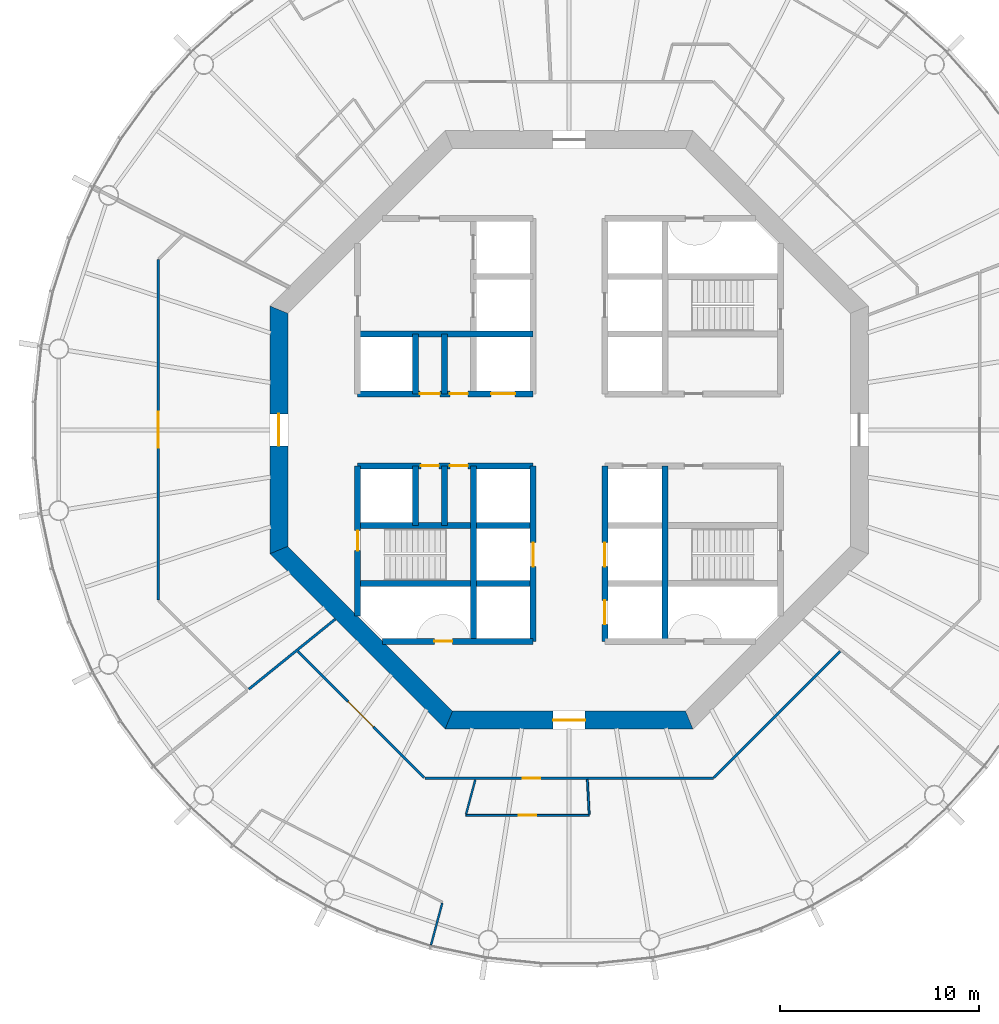
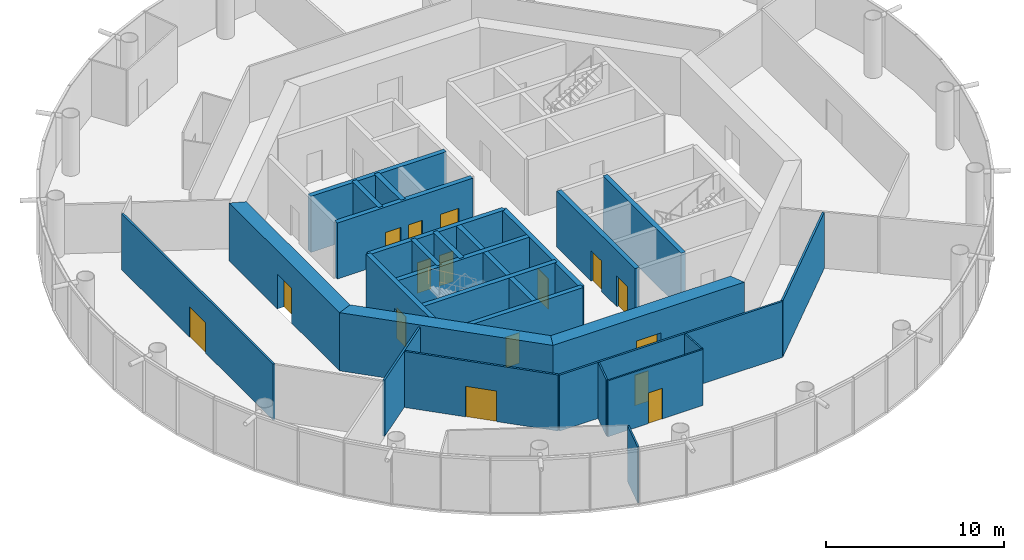
# One storey, part 3 of 12: 27 walls, 16 doors, 16 openings.
"""IFC4 building model written with IfcOpenShell, lengths in metres."""

from ifc_helpers import new_model, si_unit, direction, frame, frame_2d, origin, place, context, subcontext, project, spatial, polyline, rectangle, outline, extrude, material, layer, layer_set, type_object, element, fill, save


model = new_model("IFC4")

# Units and contexts
model_context = context("Model", 3, precision=1e-05, world=origin(), true_north=direction((0.0, 1.0)))
body_context = subcontext(model_context, "Body", "Model", "MODEL_VIEW")
ifc_project = project(units=[si_unit("LENGTHUNIT", "METRE"), si_unit("AREAUNIT", "SQUARE_METRE"), si_unit("VOLUMEUNIT", "CUBIC_METRE"), si_unit("PLANEANGLEUNIT", "RADIAN"), si_unit("MASSUNIT", "GRAM", prefix="KILO")], contexts=[model_context])

# Site, building, storey
site_placement = place(None, origin())
site = spatial("IfcSite", under=ifc_project, at=site_placement, CompositionType="ELEMENT")
building_placement = place(site_placement, origin())
building = spatial("IfcBuilding", under=site, at=building_placement, Name="Entoto Ring Tower", CompositionType="ELEMENT")
storey_placement = place(building_placement, frame((0.0, 0.0, 246.0)))
storey = spatial("IfcBuildingStorey", under=building, at=storey_placement, Name="L56", CompositionType="ELEMENT", Elevation=246.0)

# Wall
ifc_material_1 = material(Name="Concrete C40/50", Category="concrete")
ifc_layer_1 = layer(ifc_material_1, 0.300048828125)
ifc_layer_set_1 = layer_set([ifc_layer_1], Name="Concrete C40/50")
wall_type_1 = type_object("IfcWallType", Name="Core enclosure wall 300 mm reinforced concrete", PredefinedType="SOLIDWALL", material=ifc_layer_set_1)
wall_1_placement = place(storey_placement, frame((94.800048828125, 69.39990234375, 0.0), z_axis=(0.0, 0.0, 1.0), x_axis=(0.0, 1.0, 0.0)))
element("IfcWall", 1, at=wall_1_placement, inside=storey, type_object=wall_type_1, Name="wall-L56-003", PredefinedType="SOLIDWALL", context=body_context, shape_type="SweptSolid", body=[
    extrude(rectangle(XDim=8.800048828125, YDim=0.300048828125, at=frame_2d((4.39990234375, 0.0))), origin(), (0.0, 0.0, 1.0), 3.85009765625),
])

# Wall, openings, doors
wall_2_placement = place(storey_placement, frame((91.800048828125, 69.39990234375, 0.0), z_axis=(0.0, 0.0, 1.0), x_axis=(0.0, 1.0, 0.0)))
wall_2 = element("IfcWall", 2, at=wall_2_placement, inside=storey, type_object=wall_type_1, Name="wall-L56-005", PredefinedType="SOLIDWALL", context=body_context, shape_type="SweptSolid", body=[
    extrude(rectangle(XDim=8.800048828125, YDim=0.300048828125, at=frame_2d((4.39990234375, 0.0))), origin(), (0.0, 0.0, 1.0), 3.85009765625),
])
opening_1_placement = place(wall_2_placement, frame((3.75, 0.0, 0.0)))
opening_1 = element("IfcOpeningElement", 3, at=opening_1_placement, cuts=wall_2, Name="Opening LD", PredefinedType="OPENING", context=body_context, shape_type="SweptSolid", body=[
    extrude(rectangle(XDim=1.199951171875, YDim=2.10009765625, at=frame_2d((0.60009765625, 1.050048828125))), frame((0.0, 0.16015625, 0.0), z_axis=(0.0, -1.0, 0.0), x_axis=(1.0, 0.0, 0.0)), (0.0, 0.0, 1.0), 0.320068359375),
])
opening_2_placement = place(wall_2_placement, frame((0.85009765625, 0.0, 0.0)))
opening_2 = element("IfcOpeningElement", 4, at=opening_2_placement, cuts=wall_2, Name="Opening LD", PredefinedType="OPENING", context=body_context, shape_type="SweptSolid", body=[
    extrude(rectangle(XDim=1.199951171875, YDim=2.10009765625, at=frame_2d((0.60009765625, 1.050048828125))), frame((0.0, 0.16015625, 0.0), z_axis=(0.0, -1.0, 0.0), x_axis=(1.0, 0.0, 0.0)), (0.0, 0.0, 1.0), 0.320068359375),
])
ifc_material_2 = material(Name="Steel and glass door leaf", Category="steel")
ifc_layer_2 = layer(ifc_material_2, 0.050048828125)
ifc_layer_set_2 = layer_set([ifc_layer_2], Name="Steel and glass door leaf")
door_type_1 = type_object("IfcDoorType", Name="Landing door 1200 x 2100 sliding", OperationType="DOUBLE_DOOR_SLIDING", PredefinedType="DOOR", material=ifc_layer_set_2)
door_1_placement = place(opening_1_placement, origin())
door_1 = element("IfcDoor", 5, at=door_1_placement, inside=storey, type_object=door_type_1, Name="Landing door LB2-MR", OperationType="SLIDING_TO_RIGHT", OverallHeight=2.10009765625, OverallWidth=1.199951171875, PredefinedType="DOOR", context=body_context, shape_type="SweptSolid", body=[
    extrude(rectangle(XDim=1.199951171875, YDim=2.10009765625, at=frame_2d((0.60009765625, 1.050048828125))), frame((0.0, 0.02490234375, 0.0), z_axis=(0.0, -1.0, 0.0), x_axis=(1.0, 0.0, 0.0)), (0.0, 0.0, 1.0), 0.050048828125),
])
fill(opening_1, door_1)
door_2_placement = place(opening_2_placement, origin())
door_2 = element("IfcDoor", 6, at=door_2_placement, inside=storey, type_object=door_type_1, Name="Landing door LB3-MR", OperationType="SLIDING_TO_RIGHT", OverallHeight=2.10009765625, OverallWidth=1.199951171875, PredefinedType="DOOR", context=body_context, shape_type="SweptSolid", body=[
    extrude(rectangle(XDim=1.199951171875, YDim=2.10009765625, at=frame_2d((0.60009765625, 1.050048828125))), frame((0.0, 0.02490234375, 0.0), z_axis=(0.0, -1.0, 0.0), x_axis=(1.0, 0.0, 0.0)), (0.0, 0.0, 1.0), 0.050048828125),
])
fill(opening_2, door_2)

# Wall, opening, door
wall_3_placement = place(storey_placement, frame((88.199951171875, 69.39990234375, 0.0), z_axis=(0.0, 0.0, 1.0), x_axis=(0.0, 1.0, 0.0)))
wall_3 = element("IfcWall", 7, at=wall_3_placement, inside=storey, type_object=wall_type_1, Name="wall-L56-007", PredefinedType="SOLIDWALL", context=body_context, shape_type="SweptSolid", body=[
    extrude(rectangle(XDim=8.800048828125, YDim=0.300048828125, at=frame_2d((4.39990234375, 0.0))), origin(), (0.0, 0.0, 1.0), 3.85009765625),
])
opening_3_placement = place(wall_3_placement, frame((3.75, 0.0, 0.0)))
opening_3 = element("IfcOpeningElement", 8, at=opening_3_placement, cuts=wall_3, Name="Opening LD", PredefinedType="OPENING", context=body_context, shape_type="SweptSolid", body=[
    extrude(rectangle(XDim=1.199951171875, YDim=2.10009765625, at=frame_2d((0.60009765625, 1.050048828125))), frame((0.0, 0.16015625, 0.0), z_axis=(0.0, -1.0, 0.0), x_axis=(1.0, 0.0, 0.0)), (0.0, 0.0, 1.0), 0.320068359375),
])
door_3_placement = place(opening_3_placement, origin())
door_3 = element("IfcDoor", 9, at=door_3_placement, inside=storey, type_object=door_type_1, Name="Landing door LB4-MR", OperationType="SLIDING_TO_RIGHT", OverallHeight=2.10009765625, OverallWidth=1.199951171875, PredefinedType="DOOR", context=body_context, shape_type="SweptSolid", body=[
    extrude(rectangle(XDim=1.199951171875, YDim=2.10009765625, at=frame_2d((0.60009765625, 1.050048828125))), frame((0.0, 0.02490234375, 0.0), z_axis=(0.0, -1.0, 0.0), x_axis=(1.0, 0.0, 0.0)), (0.0, 0.0, 1.0), 0.050048828125),
])
fill(opening_3, door_3)

# Walls
wall_4_placement = place(storey_placement, frame((85.199951171875, 69.39990234375, 0.0), z_axis=(0.0, 0.0, 1.0), x_axis=(0.0, 1.0, 0.0)))
element("IfcWall", 10, at=wall_4_placement, inside=storey, type_object=wall_type_1, Name="wall-L56-009", PredefinedType="SOLIDWALL", context=body_context, shape_type="SweptSolid", body=[
    extrude(rectangle(XDim=8.800048828125, YDim=0.300048828125, at=frame_2d((4.39990234375, 0.0))), origin(), (0.0, 0.0, 1.0), 3.85009765625),
])
for number, where, z_axis, x_axis, name in (
    (11, (83.75, 75.199951171875, 0.0), (0.0, 0.0, 1.0), (0.0, 1.0, 0.0), "wall-L56-011"),
    (12, (83.75, 81.800048828125, 0.0), (0.0, 0.0, 1.0), (0.0, 1.0, 0.0), "wall-L56-012"),
    (13, (82.300048828125, 75.199951171875, 0.0), (0.0, 0.0, 1.0), (0.0, 1.0, 0.0), "wall-L56-013"),
    (14, (82.300048828125, 81.800048828125, 0.0), (0.0, 0.0, 1.0), (0.0, 1.0, 0.0), "wall-L56-014"),
):
    element("IfcWall", number, at=place(storey_placement, frame(where, z_axis=z_axis, x_axis=x_axis)), inside=storey, type_object=wall_type_1, Name=name, PredefinedType="SOLIDWALL", context=body_context, shape_type="SweptSolid", body=[
        extrude(rectangle(XDim=3.0, YDim=0.300048828125, at=frame_2d((1.5, 0.0))), origin(), (0.0, 0.0, 1.0), 3.85009765625),
    ])

# Wall, opening, door
wall_5_placement = place(storey_placement, frame((79.39990234375, 70.65966796875, 0.0), z_axis=(0.0, 0.0, 1.0), x_axis=(0.0, 1.0, 0.0)))
wall_5 = element("IfcWall", 15, at=wall_5_placement, inside=storey, type_object=wall_type_1, Name="wall-L56-015", PredefinedType="SOLIDWALL", context=body_context, shape_type="SweptSolid", body=[
    extrude(rectangle(XDim=7.540283203125, YDim=0.300048828125, at=frame_2d((3.77001953125, 0.0))), origin(), (0.0, 0.0, 1.0), 3.85009765625),
])
opening_4_placement = place(wall_5_placement, frame((3.290283203125, 0.0, 0.0)))
opening_4 = element("IfcOpeningElement", 16, at=opening_4_placement, cuts=wall_5, Name="Opening K-59", PredefinedType="OPENING", context=body_context, shape_type="SweptSolid", body=[
    extrude(rectangle(XDim=1.0, YDim=2.10009765625, at=frame_2d((0.5, 1.050048828125))), frame((0.0, 0.16015625, 0.0), z_axis=(0.0, -1.0, 0.0), x_axis=(1.0, 0.0, 0.0)), (0.0, 0.0, 1.0), 0.320068359375),
])
ifc_material_3 = material(Name="Steel door leaf, fire rated", Category="steel")
ifc_layer_3 = layer(ifc_material_3, 0.050048828125)
ifc_layer_set_3 = layer_set([ifc_layer_3], Name="Steel door leaf, fire rated")
door_type_2 = type_object("IfcDoorType", Name="Fire door FD60 1000 x 2100 single leaf", OperationType="NOTDEFINED", PredefinedType="DOOR", material=ifc_layer_set_3)
door_4_placement = place(opening_4_placement, frame((1.0, 0.0, 0.0), z_axis=(0.0, 0.0, 1.0), x_axis=(-1.0, 0.0, 0.0)))
door_4 = element("IfcDoor", 17, at=door_4_placement, inside=storey, type_object=door_type_2, Name="Door K-59", OperationType="SINGLE_SWING_LEFT", OverallHeight=2.10009765625, OverallWidth=1.0, PredefinedType="DOOR", context=body_context, shape_type="SweptSolid", body=[
    extrude(rectangle(XDim=1.0, YDim=2.10009765625, at=frame_2d((0.5, 1.050048828125))), frame((0.0, 0.02490234375, 0.0), z_axis=(0.0, -1.0, 0.0), x_axis=(1.0, 0.0, 0.0)), (0.0, 0.0, 1.0), 0.050048828125),
])
fill(opening_4, door_4)

wall_6_placement = place(storey_placement, frame((80.65966796875, 69.39990234375, 0.0), z_axis=(0.0, 0.0, 1.0), x_axis=(1.0, 0.0, 0.0)))
wall_6 = element("IfcWall", 18, at=wall_6_placement, inside=storey, type_object=wall_type_1, Name="wall-L56-017", PredefinedType="SOLIDWALL", context=body_context, shape_type="SweptSolid", body=[
    extrude(rectangle(XDim=7.540283203125, YDim=0.300048828125, at=frame_2d((3.77001953125, 0.0))), origin(), (0.0, 0.0, 1.0), 3.85009765625),
])
opening_5_placement = place(wall_6_placement, frame((2.59033203125, 0.0, 0.0)))
opening_5 = element("IfcOpeningElement", 19, at=opening_5_placement, cuts=wall_6, Name="Opening K-66", PredefinedType="OPENING", context=body_context, shape_type="SweptSolid", body=[
    extrude(rectangle(XDim=0.89990234375, YDim=2.10009765625, at=frame_2d((0.449951171875, 1.050048828125))), frame((0.0, 0.16015625, 0.0), z_axis=(0.0, -1.0, 0.0), x_axis=(1.0, 0.0, 0.0)), (0.0, 0.0, 1.0), 0.320068359375),
])
ifc_material_4 = material(Name="Steel door leaf, fire rated", Category="steel")
ifc_layer_4 = layer(ifc_material_4, 0.050048828125)
ifc_layer_set_4 = layer_set([ifc_layer_4], Name="Steel door leaf, fire rated")
door_type_3 = type_object("IfcDoorType", Name="Riser door FD60 900 x 2100 single leaf", OperationType="NOTDEFINED", PredefinedType="DOOR", material=ifc_layer_set_4)
door_5_placement = place(opening_5_placement, origin())
door_5 = element("IfcDoor", 20, at=door_5_placement, inside=storey, type_object=door_type_3, Name="Door K-66", OperationType="SINGLE_SWING_RIGHT", OverallHeight=2.10009765625, OverallWidth=0.89990234375, PredefinedType="DOOR", context=body_context, shape_type="SweptSolid", body=[
    extrude(rectangle(XDim=0.89990234375, YDim=2.10009765625, at=frame_2d((0.449951171875, 1.050048828125))), frame((0.0, 0.02490234375, 0.0), z_axis=(0.0, -1.0, 0.0), x_axis=(1.0, 0.0, 0.0)), (0.0, 0.0, 1.0), 0.050048828125),
])
fill(opening_5, door_5)

# Walls
for number, where, z_axis, x_axis, name in (
    (21, (79.39990234375, 72.300048828125, 0.0), (0.0, 0.0, 1.0), (1.0, 0.0, 0.0), "wall-L56-019"),
    (22, (79.39990234375, 75.199951171875, 0.0), (0.0, 0.0, 1.0), (1.0, 0.0, 0.0), "wall-L56-021"),
):
    element("IfcWall", number, at=place(storey_placement, frame(where, z_axis=z_axis, x_axis=x_axis)), inside=storey, type_object=wall_type_1, Name=name, PredefinedType="SOLIDWALL", context=body_context, shape_type="SweptSolid", body=[
        extrude(rectangle(XDim=8.800048828125, YDim=0.300048828125, at=frame_2d((4.39990234375, 0.0))), origin(), (0.0, 0.0, 1.0), 3.85009765625),
    ])

# Wall, openings, doors
wall_7_placement = place(storey_placement, frame((79.39990234375, 78.199951171875, 0.0), z_axis=(0.0, 0.0, 1.0), x_axis=(1.0, 0.0, 0.0)))
wall_7 = element("IfcWall", 23, at=wall_7_placement, inside=storey, type_object=wall_type_1, Name="wall-L56-023", PredefinedType="SOLIDWALL", context=body_context, shape_type="SweptSolid", body=[
    extrude(rectangle(XDim=8.800048828125, YDim=0.300048828125, at=frame_2d((4.39990234375, 0.0))), origin(), (0.0, 0.0, 1.0), 3.85009765625),
])
opening_6_placement = place(wall_7_placement, frame((3.175048828125, 0.0, 0.0)))
opening_6 = element("IfcOpeningElement", 24, at=opening_6_placement, cuts=wall_7, Name="Opening K-15", PredefinedType="OPENING", context=body_context, shape_type="SweptSolid", body=[
    extrude(rectangle(XDim=0.89990234375, YDim=2.10009765625, at=frame_2d((0.449951171875, 1.050048828125))), frame((0.0, 0.16015625, 0.0), z_axis=(0.0, -1.0, 0.0), x_axis=(1.0, 0.0, 0.0)), (0.0, 0.0, 1.0), 0.320068359375),
])
opening_7_placement = place(wall_7_placement, frame((4.625, 0.0, 0.0)))
opening_7 = element("IfcOpeningElement", 25, at=opening_7_placement, cuts=wall_7, Name="Opening K-16", PredefinedType="OPENING", context=body_context, shape_type="SweptSolid", body=[
    extrude(rectangle(XDim=0.89990234375, YDim=2.10009765625, at=frame_2d((0.449951171875, 1.050048828125))), frame((0.0, 0.16015625, 0.0), z_axis=(0.0, -1.0, 0.0), x_axis=(1.0, 0.0, 0.0)), (0.0, 0.0, 1.0), 0.320068359375),
])
ifc_material_5 = material(Name="Steel door leaf, fire rated", Category="steel")
ifc_layer_5 = layer(ifc_material_5, 0.050048828125)
ifc_layer_set_5 = layer_set([ifc_layer_5], Name="Steel door leaf, fire rated")
door_type_4 = type_object("IfcDoorType", Name="Core door 900 x 2100 single leaf", OperationType="NOTDEFINED", PredefinedType="DOOR", material=ifc_layer_set_5)
door_6_placement = place(opening_6_placement, frame((0.89990234375, 0.0, 0.0), z_axis=(0.0, 0.0, 1.0), x_axis=(-1.0, 0.0, 0.0)))
door_6 = element("IfcDoor", 26, at=door_6_placement, inside=storey, type_object=door_type_4, Name="Door K-15", OperationType="SINGLE_SWING_LEFT", OverallHeight=2.10009765625, OverallWidth=0.89990234375, PredefinedType="DOOR", context=body_context, shape_type="SweptSolid", body=[
    extrude(rectangle(XDim=0.89990234375, YDim=2.10009765625, at=frame_2d((0.449951171875, 1.050048828125))), frame((0.0, 0.02490234375, 0.0), z_axis=(0.0, -1.0, 0.0), x_axis=(1.0, 0.0, 0.0)), (0.0, 0.0, 1.0), 0.050048828125),
])
fill(opening_6, door_6)
door_7_placement = place(opening_7_placement, frame((0.89990234375, 0.0, 0.0), z_axis=(0.0, 0.0, 1.0), x_axis=(-1.0, 0.0, 0.0)))
door_7 = element("IfcDoor", 27, at=door_7_placement, inside=storey, type_object=door_type_4, Name="Door K-16", OperationType="SINGLE_SWING_LEFT", OverallHeight=2.10009765625, OverallWidth=0.89990234375, PredefinedType="DOOR", context=body_context, shape_type="SweptSolid", body=[
    extrude(rectangle(XDim=0.89990234375, YDim=2.10009765625, at=frame_2d((0.449951171875, 1.050048828125))), frame((0.0, 0.02490234375, 0.0), z_axis=(0.0, -1.0, 0.0), x_axis=(1.0, 0.0, 0.0)), (0.0, 0.0, 1.0), 0.050048828125),
])
fill(opening_7, door_7)

wall_8_placement = place(storey_placement, frame((79.39990234375, 81.800048828125, 0.0), z_axis=(0.0, 0.0, 1.0), x_axis=(1.0, 0.0, 0.0)))
wall_8 = element("IfcWall", 28, at=wall_8_placement, inside=storey, type_object=wall_type_1, Name="wall-L56-025", PredefinedType="SOLIDWALL", context=body_context, shape_type="SweptSolid", body=[
    extrude(rectangle(XDim=8.800048828125, YDim=0.300048828125, at=frame_2d((4.39990234375, 0.0))), origin(), (0.0, 0.0, 1.0), 3.85009765625),
])
opening_8_placement = place(wall_8_placement, frame((6.699951171875, 0.0, 0.0)))
opening_8 = element("IfcOpeningElement", 29, at=opening_8_placement, cuts=wall_8, Name="Opening LD", PredefinedType="OPENING", context=body_context, shape_type="SweptSolid", body=[
    extrude(rectangle(XDim=1.199951171875, YDim=2.10009765625, at=frame_2d((0.60009765625, 1.050048828125))), frame((0.0, 0.16015625, 0.0), z_axis=(0.0, -1.0, 0.0), x_axis=(1.0, 0.0, 0.0)), (0.0, 0.0, 1.0), 0.320068359375),
])
opening_9_placement = place(wall_8_placement, frame((3.125, 0.0, 0.0)))
opening_9 = element("IfcOpeningElement", 30, at=opening_9_placement, cuts=wall_8, Name="Opening K-13", PredefinedType="OPENING", context=body_context, shape_type="SweptSolid", body=[
    extrude(rectangle(XDim=1.0, YDim=2.10009765625, at=frame_2d((0.5, 1.050048828125))), frame((0.0, 0.16015625, 0.0), z_axis=(0.0, -1.0, 0.0), x_axis=(1.0, 0.0, 0.0)), (0.0, 0.0, 1.0), 0.320068359375),
])
opening_10_placement = place(wall_8_placement, frame((4.625, 0.0, 0.0)))
opening_10 = element("IfcOpeningElement", 31, at=opening_10_placement, cuts=wall_8, Name="Opening K-14", PredefinedType="OPENING", context=body_context, shape_type="SweptSolid", body=[
    extrude(rectangle(XDim=0.89990234375, YDim=2.10009765625, at=frame_2d((0.449951171875, 1.050048828125))), frame((0.0, 0.16015625, 0.0), z_axis=(0.0, -1.0, 0.0), x_axis=(1.0, 0.0, 0.0)), (0.0, 0.0, 1.0), 0.320068359375),
])
ifc_material_6 = material(Name="Steel door leaf, fire rated", Category="steel")
ifc_layer_6 = layer(ifc_material_6, 0.050048828125)
ifc_layer_set_6 = layer_set([ifc_layer_6], Name="Steel door leaf, fire rated")
door_type_5 = type_object("IfcDoorType", Name="Accessible door 1000 x 2100 single leaf", OperationType="NOTDEFINED", PredefinedType="DOOR", material=ifc_layer_set_6)
door_8_placement = place(opening_9_placement, origin())
door_8 = element("IfcDoor", 32, at=door_8_placement, inside=storey, type_object=door_type_5, Name="Door K-13", OperationType="SINGLE_SWING_RIGHT", OverallHeight=2.10009765625, OverallWidth=1.0, PredefinedType="DOOR", context=body_context, shape_type="SweptSolid", body=[
    extrude(rectangle(XDim=1.0, YDim=2.10009765625, at=frame_2d((0.5, 1.050048828125))), frame((0.0, 0.02490234375, 0.0), z_axis=(0.0, -1.0, 0.0), x_axis=(1.0, 0.0, 0.0)), (0.0, 0.0, 1.0), 0.050048828125),
])
fill(opening_9, door_8)
door_9_placement = place(opening_10_placement, origin())
door_9 = element("IfcDoor", 33, at=door_9_placement, inside=storey, type_object=door_type_4, Name="Door K-14", OperationType="SINGLE_SWING_RIGHT", OverallHeight=2.10009765625, OverallWidth=0.89990234375, PredefinedType="DOOR", context=body_context, shape_type="SweptSolid", body=[
    extrude(rectangle(XDim=0.89990234375, YDim=2.10009765625, at=frame_2d((0.449951171875, 1.050048828125))), frame((0.0, 0.02490234375, 0.0), z_axis=(0.0, -1.0, 0.0), x_axis=(1.0, 0.0, 0.0)), (0.0, 0.0, 1.0), 0.050048828125),
])
fill(opening_10, door_9)
door_10_placement = place(opening_8_placement, origin())
door_10 = element("IfcDoor", 34, at=door_10_placement, inside=storey, type_object=door_type_1, Name="Landing door LB5-MR", OperationType="SLIDING_TO_LEFT", OverallHeight=2.10009765625, OverallWidth=1.199951171875, PredefinedType="DOOR", context=body_context, shape_type="SweptSolid", body=[
    extrude(rectangle(XDim=1.199951171875, YDim=2.10009765625, at=frame_2d((0.60009765625, 1.050048828125))), frame((0.0, 0.02490234375, 0.0), z_axis=(0.0, -1.0, 0.0), x_axis=(1.0, 0.0, 0.0)), (0.0, 0.0, 1.0), 0.050048828125),
])
fill(opening_8, door_10)

# Wall
wall_9_placement = place(storey_placement, frame((79.39990234375, 84.800048828125, 0.0), z_axis=(0.0, 0.0, 1.0), x_axis=(1.0, 0.0, 0.0)))
element("IfcWall", 35, at=wall_9_placement, inside=storey, type_object=wall_type_1, Name="wall-L56-027", PredefinedType="SOLIDWALL", context=body_context, shape_type="SweptSolid", body=[
    extrude(rectangle(XDim=8.800048828125, YDim=0.300048828125, at=frame_2d((4.39990234375, 0.0))), origin(), (0.0, 0.0, 1.0), 3.85009765625),
])

# Wall, opening, door
ifc_material_7 = material(Name="Concrete C50/60", Category="concrete")
ifc_layer_7 = layer(ifc_material_7, 0.89990234375)
ifc_layer_set_7 = layer_set([ifc_layer_7], Name="Concrete C50/60")
wall_type_2 = type_object("IfcWallType", Name="Core shear wall 900 mm reinforced concrete C50/60", PredefinedType="SHEAR", material=ifc_layer_set_7)
wall_10_placement = place(storey_placement, frame((75.449951171875, 86.02685546875, 0.0), z_axis=(0.0, 0.0, 1.0), x_axis=(0.0, -1.0, 0.0)))
wall_10 = element("IfcWall", 36, at=wall_10_placement, inside=storey, type_object=wall_type_2, Name="wall-L56-core-4", PredefinedType="SHEAR", context=body_context, shape_type="SweptSolid", body=[
    extrude(outline(polyline([(-0.186279296875, -0.449951171875), (12.239990234375, -0.449951171875), (11.867431640625, 0.449951171875), (0.186279296875, 0.449951171875), (-0.186279296875, -0.449951171875)])), origin(), (0.0, 0.0, 1.0), 4.0),
])
opening_11_placement = place(wall_10_placement, frame((5.226806640625, 0.0, 0.0)))
opening_11 = element("IfcOpeningElement", 37, at=opening_11_placement, cuts=wall_10, Name="Opening K-03", PredefinedType="OPENING", context=body_context, shape_type="SweptSolid", body=[
    extrude(rectangle(XDim=1.60009765625, YDim=2.39990234375, at=frame_2d((0.800048828125, 1.199951171875))), frame((0.0, 0.4599609375, 0.0), z_axis=(0.0, -1.0, 0.0), x_axis=(1.0, 0.0, 0.0)), (0.0, 0.0, 1.0), 0.919921875),
])
ifc_material_8 = material(Name="Steel door leaf, fire rated", Category="steel")
ifc_layer_8 = layer(ifc_material_8, 0.050048828125)
ifc_layer_set_8 = layer_set([ifc_layer_8], Name="Steel door leaf, fire rated")
door_type_6 = type_object("IfcDoorType", Name="Entrance door FD60 1600 x 2400 double leaf", OperationType="DOUBLE_DOOR_SINGLE_SWING", PredefinedType="DOOR", material=ifc_layer_set_8)
door_11_placement = place(opening_11_placement, origin())
door_11 = element("IfcDoor", 38, at=door_11_placement, inside=storey, type_object=door_type_6, Name="Entrance door K-03", OperationType="DOUBLE_DOOR_SINGLE_SWING", OverallHeight=2.39990234375, OverallWidth=1.60009765625, PredefinedType="DOOR", context=body_context, shape_type="SweptSolid", body=[
    extrude(rectangle(XDim=1.60009765625, YDim=2.39990234375, at=frame_2d((0.800048828125, 1.199951171875))), frame((0.0, 0.02490234375, 0.0), z_axis=(0.0, -1.0, 0.0), x_axis=(1.0, 0.0, 0.0)), (0.0, 0.0, 1.0), 0.050048828125),
])
fill(opening_11, door_11)

# Wall
wall_11_placement = place(storey_placement, frame((75.449951171875, 73.97314453125, 0.0), z_axis=(0.0, 0.0, 1.0), x_axis=(0.707106781187, -0.707106781187, 0.0)))
element("IfcWall", 39, at=wall_11_placement, inside=storey, type_object=wall_type_2, Name="wall-L56-core-5", PredefinedType="SHEAR", context=body_context, shape_type="SweptSolid", body=[
    extrude(outline(polyline([(-0.186279296875, -0.449951171875), (12.239990234375, -0.449951171875), (11.867431640625, 0.449951171875), (0.186279296875, 0.449951171875), (-0.186279296875, -0.449951171875)])), origin(), (0.0, 0.0, 1.0), 4.0),
])

# Wall, opening, door
wall_12_placement = place(storey_placement, frame((83.97314453125, 65.449951171875, 0.0), z_axis=(0.0, 0.0, 1.0), x_axis=(1.0, 0.0, 0.0)))
wall_12 = element("IfcWall", 40, at=wall_12_placement, inside=storey, type_object=wall_type_2, Name="wall-L56-core-6", PredefinedType="SHEAR", context=body_context, shape_type="SweptSolid", body=[
    extrude(outline(polyline([(-0.186279296875, -0.449951171875), (12.239990234375, -0.449951171875), (11.867431640625, 0.449951171875), (0.186279296875, 0.449951171875), (-0.186279296875, -0.449951171875)])), origin(), (0.0, 0.0, 1.0), 4.0),
])
opening_12_placement = place(wall_12_placement, frame((5.226806640625, 0.0, 0.0)))
opening_12 = element("IfcOpeningElement", 41, at=opening_12_placement, cuts=wall_12, Name="Opening K-04", PredefinedType="OPENING", context=body_context, shape_type="SweptSolid", body=[
    extrude(rectangle(XDim=1.60009765625, YDim=2.39990234375, at=frame_2d((0.800048828125, 1.199951171875))), frame((0.0, 0.4599609375, 0.0), z_axis=(0.0, -1.0, 0.0), x_axis=(1.0, 0.0, 0.0)), (0.0, 0.0, 1.0), 0.919921875),
])
door_12_placement = place(opening_12_placement, origin())
door_12 = element("IfcDoor", 42, at=door_12_placement, inside=storey, type_object=door_type_6, Name="Entrance door K-04", OperationType="DOUBLE_DOOR_SINGLE_SWING", OverallHeight=2.39990234375, OverallWidth=1.60009765625, PredefinedType="DOOR", context=body_context, shape_type="SweptSolid", body=[
    extrude(rectangle(XDim=1.60009765625, YDim=2.39990234375, at=frame_2d((0.800048828125, 1.199951171875))), frame((0.0, 0.02490234375, 0.0), z_axis=(0.0, -1.0, 0.0), x_axis=(1.0, 0.0, 0.0)), (0.0, 0.0, 1.0), 0.050048828125),
])
fill(opening_12, door_12)

ifc_material_9 = material(Name="Fire-resisting plasterboard on steel studs", Category="steel")
ifc_layer_9 = layer(ifc_material_9, 0.125)
ifc_layer_set_9 = layer_set([ifc_layer_9], Name="Fire-resisting plasterboard on steel studs")
wall_type_3 = type_object("IfcWallType", Name="Corridor wall 125 mm one-hour plasterboard on steel studs", PredefinedType="PARTITIONING", material=ifc_layer_set_9)
wall_13_placement = place(storey_placement, frame((69.39990234375, 71.46728515625, 0.0), z_axis=(0.0, 0.0, 1.0), x_axis=(0.0, 1.0, 0.0)))
wall_13 = element("IfcWall", 43, at=wall_13_placement, inside=storey, type_object=wall_type_3, Name="partition-L56-001", PredefinedType="PARTITIONING", context=body_context, shape_type="SweptSolid", body=[
    extrude(rectangle(XDim=17.0654296875, YDim=0.125, at=frame_2d((8.53271484375, 0.0))), origin(), (0.0, 0.0, 1.0), 3.85009765625),
])
opening_13_placement = place(wall_13_placement, frame((7.6328125, 0.0, 0.0)))
opening_13 = element("IfcOpeningElement", 44, at=opening_13_placement, cuts=wall_13, Name="Opening A24-D02", PredefinedType="OPENING", context=body_context, shape_type="SweptSolid", body=[
    extrude(rectangle(XDim=1.800048828125, YDim=2.10009765625, at=frame_2d((0.89990234375, 1.050048828125))), frame((0.0, 0.072509765625, 0.0), z_axis=(0.0, -1.0, 0.0), x_axis=(1.0, 0.0, 0.0)), (0.0, 0.0, 1.0), 0.14501953125),
])
ifc_material_10 = material(Name="Fire-resisting timber door set", Category="wood")
door_type_7 = type_object("IfcDoorType", Name="Door 1800 x 2100 double leaf FD30S fire door", OperationType="DOUBLE_DOOR_SINGLE_SWING", PredefinedType="DOOR", material=ifc_material_10)
door_13_placement = place(opening_13_placement, origin())
door_13 = element("IfcDoor", 45, at=door_13_placement, inside=storey, type_object=door_type_7, Name="Door A24-D02", OperationType="DOUBLE_DOOR_SINGLE_SWING", OverallHeight=2.10009765625, OverallWidth=1.800048828125, PredefinedType="DOOR", context=body_context, shape_type="SweptSolid", body=[
    extrude(rectangle(XDim=1.800048828125, YDim=2.10009765625, at=frame_2d((0.89990234375, 1.050048828125))), frame((0.0, 0.02490234375, 0.0), z_axis=(0.0, -1.0, 0.0), x_axis=(1.0, 0.0, 0.0)), (0.0, 0.0, 1.0), 0.050048828125),
])
fill(opening_13, door_13)

wall_14_placement = place(storey_placement, frame((82.766845703125, 62.53759765625, 0.0), z_axis=(0.0, 0.0, 1.0), x_axis=(1.0, 0.0, 0.0)))
wall_14 = element("IfcWall", 46, at=wall_14_placement, inside=storey, type_object=wall_type_3, Name="partition-L56-004", PredefinedType="PARTITIONING", context=body_context, shape_type="SweptSolid", body=[
    extrude(rectangle(XDim=14.46630859375, YDim=0.125, at=frame_2d((7.233154296875, 0.0))), origin(), (0.0, 0.0, 1.0), 3.85009765625),
])
opening_14_placement = place(wall_14_placement, frame((4.9013671875, 0.0, 0.0)))
opening_14 = element("IfcOpeningElement", 47, at=opening_14_placement, cuts=wall_14, Name="Opening A24-D12", PredefinedType="OPENING", context=body_context, shape_type="SweptSolid", body=[
    extrude(rectangle(XDim=0.89990234375, YDim=2.10009765625, at=frame_2d((0.449951171875, 1.050048828125))), frame((0.0, 0.072509765625, 0.0), z_axis=(0.0, -1.0, 0.0), x_axis=(1.0, 0.0, 0.0)), (0.0, 0.0, 1.0), 0.14501953125),
])
ifc_material_11 = material(Name="Fire-resisting timber door set", Category="wood")
door_type_8 = type_object("IfcDoorType", Name="Door 1000 x 2100 single leaf FD30S fire door", OperationType="NOTDEFINED", PredefinedType="DOOR", material=ifc_material_11)
door_14_placement = place(opening_14_placement, frame((0.89990234375, 0.0, 0.0), z_axis=(0.0, 0.0, 1.0), x_axis=(-1.0, 0.0, 0.0)))
door_14 = element("IfcDoor", 48, at=door_14_placement, inside=storey, type_object=door_type_8, Name="Door A24-D12", OperationType="SINGLE_SWING_LEFT", OverallHeight=2.10009765625, OverallWidth=0.89990234375, PredefinedType="DOOR", context=body_context, shape_type="SweptSolid", body=[
    extrude(rectangle(XDim=0.89990234375, YDim=2.10009765625, at=frame_2d((0.449951171875, 1.050048828125))), frame((0.0, 0.02490234375, 0.0), z_axis=(0.0, -1.0, 0.0), x_axis=(1.0, 0.0, 0.0)), (0.0, 0.0, 1.0), 0.050048828125),
])
fill(opening_14, door_14)

wall_15_placement = place(storey_placement, frame((82.735595703125, 62.568603515625, 0.0), z_axis=(0.0, 0.0, 1.0), x_axis=(-0.707106781187, 0.707106781187, 0.0)))
wall_15 = element("IfcWall", 49, at=wall_15_placement, inside=storey, type_object=wall_type_3, Name="partition-L56-007", PredefinedType="PARTITIONING", context=body_context, shape_type="SweptSolid", body=[
    extrude(rectangle(XDim=8.955078125, YDim=0.125, at=frame_2d((4.4775390625, 0.0))), origin(), (0.0, 0.0, 1.0), 3.85009765625),
])
opening_15_placement = place(wall_15_placement, frame((3.59033203125, 0.0, 0.0)))
opening_15 = element("IfcOpeningElement", 50, at=opening_15_placement, cuts=wall_15, Name="Opening A24-D10", PredefinedType="OPENING", context=body_context, shape_type="SweptSolid", body=[
    extrude(rectangle(XDim=1.800048828125, YDim=2.10009765625, at=frame_2d((0.89990234375, 1.050048828125))), frame((0.0, 0.072509765625, 0.0), z_axis=(0.0, -1.0, 0.0), x_axis=(1.0, 0.0, 0.0)), (0.0, 0.0, 1.0), 0.14501953125),
])
door_15_placement = place(opening_15_placement, origin())
door_15 = element("IfcDoor", 51, at=door_15_placement, inside=storey, type_object=door_type_7, Name="Door A24-D10", OperationType="DOUBLE_DOOR_SINGLE_SWING", OverallHeight=2.10009765625, OverallWidth=1.800048828125, PredefinedType="DOOR", context=body_context, shape_type="SweptSolid", body=[
    extrude(rectangle(XDim=1.800048828125, YDim=2.10009765625, at=frame_2d((0.89990234375, 1.050048828125))), frame((0.0, 0.02490234375, 0.0), z_axis=(0.0, -1.0, 0.0), x_axis=(1.0, 0.0, 0.0)), (0.0, 0.0, 1.0), 0.050048828125),
])
fill(opening_15, door_15)

# Walls
wall_16_placement = place(storey_placement, frame((97.264404296875, 62.568603515625, 0.0), z_axis=(0.0, 0.0, 1.0), x_axis=(0.707106781187, 0.707106781187, 0.0)))
element("IfcWall", 52, at=wall_16_placement, inside=storey, type_object=wall_type_3, Name="partition-L56-008", PredefinedType="PARTITIONING", context=body_context, shape_type="SweptSolid", body=[
    extrude(rectangle(XDim=8.955078125, YDim=0.125, at=frame_2d((4.4775390625, 0.0))), origin(), (0.0, 0.0, 1.0), 3.85009765625),
])
wall_17_placement = place(storey_placement, frame((73.950927734375, 67.003662109375, 0.0), z_axis=(0.0, 0.0, 1.0), x_axis=(0.777129489168, 0.629340732089, 0.0)))
element("IfcWall", 53, at=wall_17_placement, inside=storey, type_object=wall_type_3, Name="partition-L56-013", PredefinedType="PARTITIONING", context=body_context, shape_type="SweptSolid", body=[
    extrude(rectangle(XDim=5.56884765625, YDim=0.125, at=frame_2d((2.784423828125, 0.0))), origin(), (0.0, 0.0, 1.0), 3.85009765625),
])

# Wall, opening, door
ifc_material_12 = material(Name="Plasterboard on steel studs", Category="steel")
ifc_layer_10 = layer(ifc_material_12, 0.10009765625)
ifc_layer_set_10 = layer_set([ifc_layer_10], Name="Plasterboard on steel studs")
wall_type_4 = type_object("IfcWallType", Name="Partition 100 mm plasterboard on steel studs", PredefinedType="PARTITIONING", material=ifc_layer_set_10)
wall_18_placement = place(storey_placement, frame((84.822509765625, 60.677490234375, 0.0), z_axis=(0.0, 0.0, 1.0), x_axis=(1.0, 0.0, 0.0)))
wall_18 = element("IfcWall", 54, at=wall_18_placement, inside=storey, type_object=wall_type_4, Name="partition-L56-024", PredefinedType="PARTITIONING", context=body_context, shape_type="SweptSolid", body=[
    extrude(rectangle(XDim=6.190185546875, YDim=0.10009765625, at=frame_2d((3.09521484375, 0.0))), origin(), (0.0, 0.0, 1.0), 3.85009765625),
])
opening_16_placement = place(wall_18_placement, frame((2.64501953125, 0.0, 0.0)))
opening_16 = element("IfcOpeningElement", 55, at=opening_16_placement, cuts=wall_18, Name="Opening A24-D11", PredefinedType="OPENING", context=body_context, shape_type="SweptSolid", body=[
    extrude(rectangle(XDim=0.89990234375, YDim=2.10009765625, at=frame_2d((0.449951171875, 1.050048828125))), frame((0.0, 0.06005859375, 0.0), z_axis=(0.0, -1.0, 0.0), x_axis=(1.0, 0.0, 0.0)), (0.0, 0.0, 1.0), 0.1201171875),
])
ifc_material_13 = material(Name="Veneered timber door leaf in timber frame", Category="wood")
door_type_9 = type_object("IfcDoorType", Name="Door 900 x 2100 single leaf timber veneer", OperationType="NOTDEFINED", PredefinedType="DOOR", material=ifc_material_13)
door_16_placement = place(opening_16_placement, origin())
door_16 = element("IfcDoor", 56, at=door_16_placement, inside=storey, type_object=door_type_9, Name="Door A24-D11", OperationType="SINGLE_SWING_LEFT", OverallHeight=2.10009765625, OverallWidth=0.89990234375, PredefinedType="DOOR", context=body_context, shape_type="SweptSolid", body=[
    extrude(rectangle(XDim=0.89990234375, YDim=2.10009765625, at=frame_2d((0.449951171875, 1.050048828125))), frame((0.0, 0.02490234375, 0.0), z_axis=(0.0, -1.0, 0.0), x_axis=(1.0, 0.0, 0.0)), (0.0, 0.0, 1.0), 0.050048828125),
])
fill(opening_16, door_16)

# Walls
wall_19_placement = place(storey_placement, frame((83.0791015625, 54.171142578125, 0.0), z_axis=(0.0, 0.0, 1.0), x_axis=(0.258881540946, 0.965909078411, 0.0)))
element("IfcWall", 57, at=wall_19_placement, inside=storey, type_object=wall_type_4, Name="partition-L56-030", PredefinedType="PARTITIONING", context=body_context, shape_type="SweptSolid", body=[
    extrude(rectangle(XDim=2.181396484375, YDim=0.10009765625, at=frame_2d((1.0908203125, 0.0))), origin(), (0.0, 0.0, 1.0), 3.85009765625),
])
wall_20_placement = place(storey_placement, frame((84.83935546875, 60.740234375, 0.0), z_axis=(0.0, 0.0, 1.0), x_axis=(0.258838766998, 0.965920541607, 0.0)))
element("IfcWall", 58, at=wall_20_placement, inside=storey, type_object=wall_type_4, Name="partition-L56-037", PredefinedType="PARTITIONING", context=body_context, shape_type="SweptSolid", body=[
    extrude(rectangle(XDim=1.78271484375, YDim=0.10009765625, at=frame_2d((0.891357421875, 0.0))), origin(), (0.0, 0.0, 1.0), 3.85009765625),
])
wall_21_placement = place(storey_placement, frame((91.010009765625, 60.72998046875, 0.0), z_axis=(0.0, 0.0, 1.0), x_axis=(-0.052331167138, 0.998629785729, 0.0)))
element("IfcWall", 59, at=wall_21_placement, inside=storey, type_object=wall_type_4, Name="partition-L56-040", PredefinedType="PARTITIONING", context=body_context, shape_type="SweptSolid", body=[
    extrude(rectangle(XDim=1.744873046875, YDim=0.10009765625, at=frame_2d((0.87255859375, 0.0))), origin(), (0.0, 0.0, 1.0), 3.85009765625),
])

save(model, "model.ifc")
